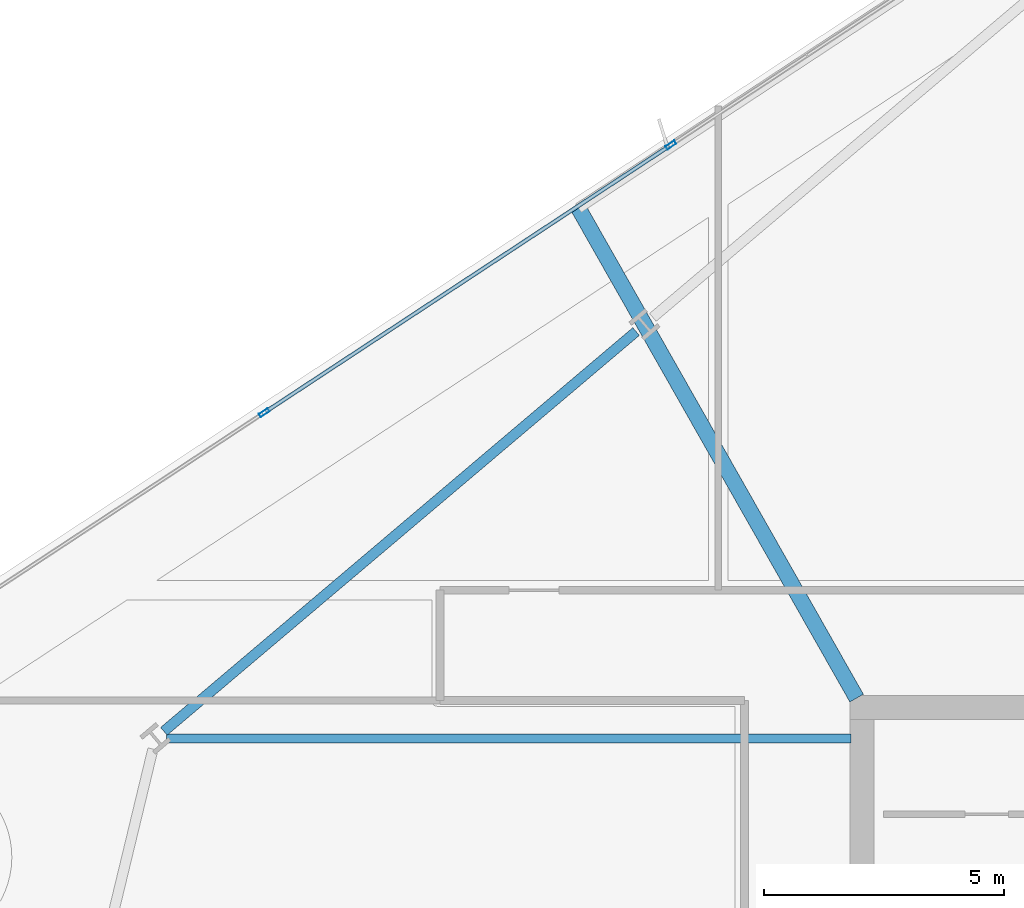
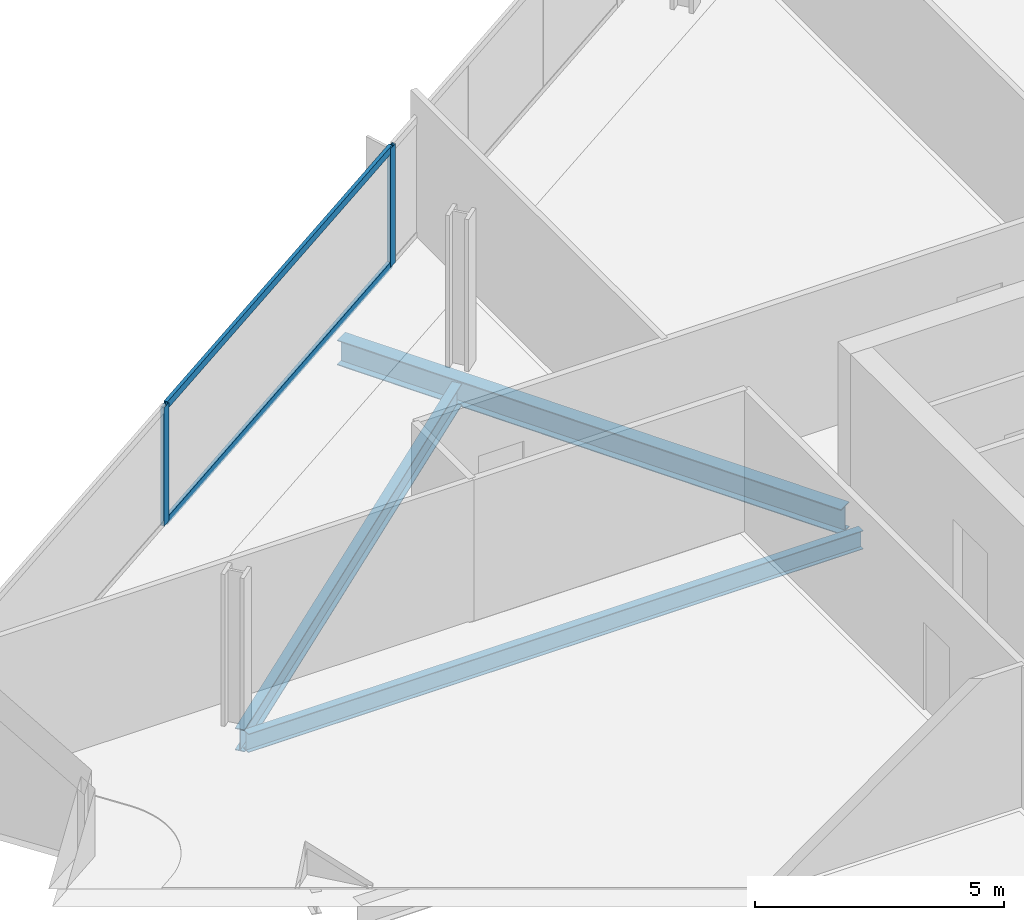
# One storey, part 14 of 29: 4 members, 3 beams, 1 element without a shape of its own.
"""IFC4 building model written with IfcOpenShell, lengths in metres."""

from ifc_helpers import new_model, si_unit, direction, frame, origin, origin_2d, place, context, subcontext, project, spatial, hollow_rectangle, i_section, extrude, material, material_profile, profile_set, type_object, element, aggregate, save


model = new_model("IFC4")

# Units and contexts
model_context = context("Model", 3, precision=1e-05, world=origin(), true_north=direction((0.0, 1.0)))
body_context = subcontext(model_context, "Body", "Model", "MODEL_VIEW")
ifc_project = project(units=[si_unit("LENGTHUNIT", "METRE"), si_unit("AREAUNIT", "SQUARE_METRE"), si_unit("VOLUMEUNIT", "CUBIC_METRE"), si_unit("PLANEANGLEUNIT", "RADIAN"), si_unit("MASSUNIT", "GRAM", prefix="KILO")], contexts=[model_context])

# Site, building, storey
site_placement = place(None, origin())
site = spatial("IfcSite", under=ifc_project, at=site_placement, CompositionType="ELEMENT")
building_placement = place(site_placement, origin())
building = spatial("IfcBuilding", under=site, at=building_placement, Name="Haldenkirk Collegiate Tower", CompositionType="ELEMENT")
storey_placement = place(building_placement, frame((0.0, 0.0, 140.699951171875)))
storey = spatial("IfcBuildingStorey", under=building, at=storey_placement, Name="L34", CompositionType="ELEMENT", Elevation=140.699951171875)

# Beams
ifc_material_1 = material(Name="Steel ASTM A992 Grade 50", Category="steel")
ifc_material_profile_1 = material_profile(ifc_material_1, i_section(OverallWidth=0.324951171875, OverallDepth=0.615966796875, WebThickness=0.013916015625, FlangeThickness=0.021484375, at=origin_2d()), Name="W24X117")
ifc_profile_set_1 = profile_set([ifc_material_profile_1], Name="Steel ASTM A992 Grade 50")
beam_type_1 = type_object("IfcBeamType", Name="BM-GIRDER-W24X117", PredefinedType="BEAM", material=ifc_profile_set_1)
beam_1_placement = place(storey_placement, frame((21.08740234375, 44.413818359375, -0.597900390625), z_axis=(0.493735112048, -0.869612349919, 0.0), x_axis=(0.869612349919, 0.493735112048, 0.0)))
element("IfcBeam", 1, at=beam_1_placement, inside=storey, type_object=beam_type_1, Name="L34 primary floor girder 12", PredefinedType="BEAM", context=body_context, shape_type="SweptSolid", body=[
    extrude(i_section(OverallWidth=0.324951171875, OverallDepth=0.615966796875, WebThickness=0.013916015625, FlangeThickness=0.021484375, at=origin_2d()), origin(), (0.0, 0.0, 1.0), 11.745361328125),
])
ifc_material_profile_2 = material_profile(ifc_material_1, i_section(OverallWidth=0.18994140625, OverallDepth=0.45703125, WebThickness=0.009033203125, FlangeThickness=0.014404296875, at=origin_2d()), Name="W18X50")
ifc_profile_set_2 = profile_set([ifc_material_profile_2], Name="Steel ASTM A992 Grade 50")
beam_type_2 = type_object("IfcBeamType", Name="BM-JOIST-W18X50", PredefinedType="JOIST", material=ifc_profile_set_2)
beam_2_placement = place(storey_placement, frame((12.4990234375, 33.360107421875, -0.5185546875), z_axis=(1.0, 0.0, 0.0), x_axis=(0.0, 1.0, 0.0)))
element("IfcBeam", 2, at=beam_2_placement, inside=storey, type_object=beam_type_2, Name="L34 composite floor joist 13", PredefinedType="JOIST", context=body_context, shape_type="SweptSolid", body=[
    extrude(i_section(OverallWidth=0.18994140625, OverallDepth=0.45703125, WebThickness=0.009033203125, FlangeThickness=0.014404296875, at=origin_2d()), origin(), (0.0, 0.0, 1.0), 14.27099609375),
])
ifc_material_profile_3 = material_profile(ifc_material_1, i_section(OverallWidth=0.2119140625, OverallDepth=0.5439453125, WebThickness=0.01318359375, FlangeThickness=0.021240234375, at=origin_2d()), Name="W21X83")
ifc_profile_set_3 = profile_set([ifc_material_profile_3], Name="Steel ASTM A992 Grade 50")
beam_type_3 = type_object("IfcBeamType", Name="BM-SPANDREL-W21X83", PredefinedType="SPANDREL", material=ifc_profile_set_3)
beam_3_placement = place(storey_placement, frame((22.288818359375, 41.841796875, -0.56201171875), z_axis=(-0.76322543275, -0.64613229203, 0.0), x_axis=(0.64613229203, -0.76322543275, 0.0)))
element("IfcBeam", 3, at=beam_3_placement, inside=storey, type_object=beam_type_3, Name="L34 perimeter spandrel beam 11", PredefinedType="SPANDREL", context=body_context, shape_type="SweptSolid", body=[
    extrude(i_section(OverallWidth=0.2119140625, OverallDepth=0.5439453125, WebThickness=0.01318359375, FlangeThickness=0.021240234375, at=origin_2d()), origin(), (0.0, 0.0, 1.0), 12.89794921875),
])

# Curtain wall, members
ifc_material_2 = material(Name="Anodised architectural bronze aluminium", Category="aluminium")
curtain_wall_type = type_object("IfcCurtainWallType", Name="CW-SYS1-CONVEX-LOW", PredefinedType="USERDEFINED", material=ifc_material_2)
curtain_wall_placement = place(storey_placement, origin())
curtain_wall = element("IfcCurtainWall", 4, at=curtain_wall_placement, inside=storey, type_object=curtain_wall_type, Name="L34 Lower tower convex bronze-framed unitised curtain wall", ObjectType="UNITISED CURTAIN WALL", PredefinedType="USERDEFINED")
ifc_material_profile_4 = material_profile(ifc_material_2, hollow_rectangle(XDim=0.080078125, YDim=0.219970703125, WallThickness=0.0048828125, at=origin_2d()), Name="CW-MUL-1A")
ifc_profile_set_4 = profile_set([ifc_material_profile_4], Name="Anodised architectural bronze aluminium")
member_type_1 = type_object("IfcMemberType", Name="CW-MUL-1A", PredefinedType="MULLION", material=ifc_profile_set_4)
member_1_placement = place(storey_placement, frame((14.536376953125, 40.150390625, 0.0), z_axis=(0.0, 0.0, 1.0), x_axis=(-0.549749899663, 0.835329305017, 0.0)))
member_1 = element("IfcMember", 5, at=member_1_placement, type_object=member_type_1, Name="CW-1A mullion 2", PredefinedType="MULLION", context=body_context, shape_type="SweptSolid", body=[
    extrude(hollow_rectangle(XDim=0.080078125, YDim=0.219970703125, WallThickness=0.0048828125, at=origin_2d()), origin(), (0.0, 0.0, 1.0), 2.9111328125),
])
member_2_placement = place(storey_placement, frame((23.014892578125, 45.73046875, 0.0), z_axis=(0.0, 0.0, 1.0), x_axis=(-0.549749899663, 0.835329305017, 0.0)))
member_2 = element("IfcMember", 6, at=member_2_placement, type_object=member_type_1, Name="CW-1A mullion 3", PredefinedType="MULLION", context=body_context, shape_type="SweptSolid", body=[
    extrude(hollow_rectangle(XDim=0.080078125, YDim=0.219970703125, WallThickness=0.0048828125, at=origin_2d()), origin(), (0.0, 0.0, 1.0), 2.9111328125),
])
ifc_material_profile_5 = material_profile(ifc_material_2, hollow_rectangle(XDim=0.080078125, YDim=0.179931640625, WallThickness=0.0048828125, at=origin_2d()), Name="CW-TRN-1A")
ifc_profile_set_5 = profile_set([ifc_material_profile_5], Name="Anodised architectural bronze aluminium")
member_type_2 = type_object("IfcMemberType", Name="CW-TRN-1A", PredefinedType="USERDEFINED", material=ifc_profile_set_5)
member_3_placement = place(storey_placement, frame((14.56982421875, 40.17236328125, 0.0400390625), z_axis=(0.83531805199, 0.549766997937, 0.0), x_axis=(-0.549766997937, 0.83531805199, 0.0)))
member_3 = element("IfcMember", 7, at=member_3_placement, type_object=member_type_2, Name="CW-1A transom 2.1", ObjectType="TRANSOM", PredefinedType="USERDEFINED", context=body_context, shape_type="SweptSolid", body=[
    extrude(hollow_rectangle(XDim=0.080078125, YDim=0.179931640625, WallThickness=0.0048828125, at=origin_2d()), origin(), (0.0, 0.0, 1.0), 10.070068359375),
])
member_4_placement = place(storey_placement, frame((14.56982421875, 40.17236328125, 2.87109375), z_axis=(0.83531805199, 0.549766997937, 0.0), x_axis=(-0.549766997937, 0.83531805199, 0.0)))
member_4 = element("IfcMember", 8, at=member_4_placement, type_object=member_type_2, Name="CW-1A transom 2.2", ObjectType="TRANSOM", PredefinedType="USERDEFINED", context=body_context, shape_type="SweptSolid", body=[
    extrude(hollow_rectangle(XDim=0.080078125, YDim=0.179931640625, WallThickness=0.0048828125, at=origin_2d()), origin(), (0.0, 0.0, 1.0), 10.070068359375),
])
aggregate(curtain_wall, [member_1, member_2, member_3, member_4])

save(model, "model.ifc")
